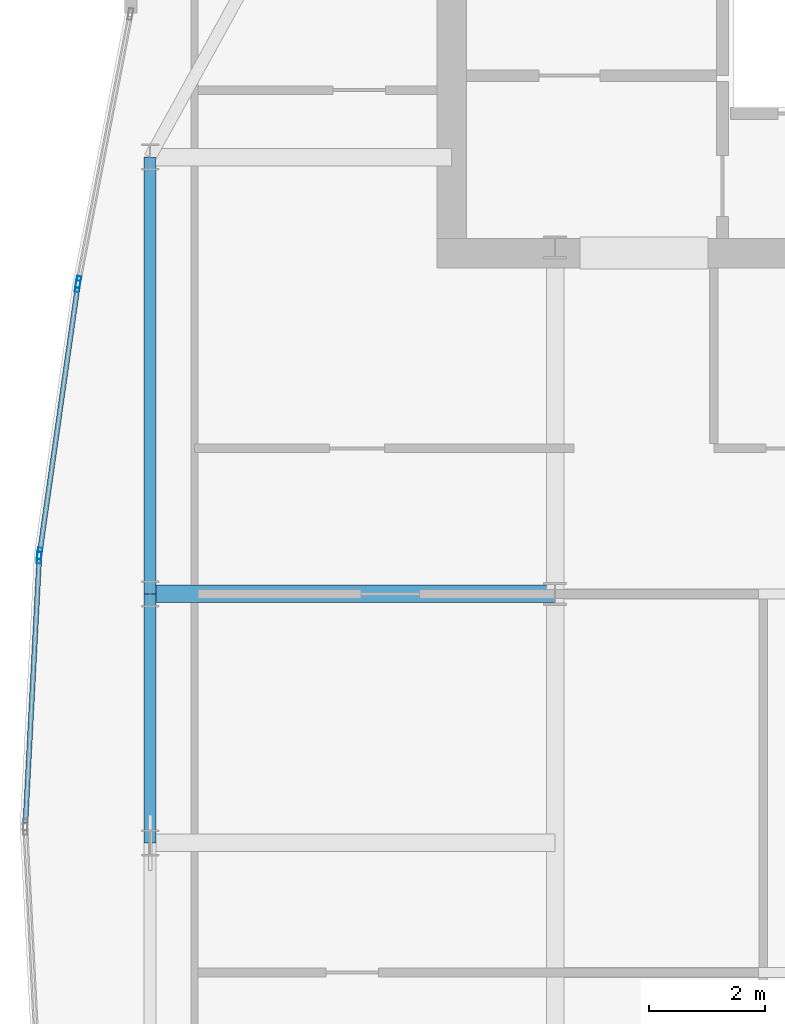
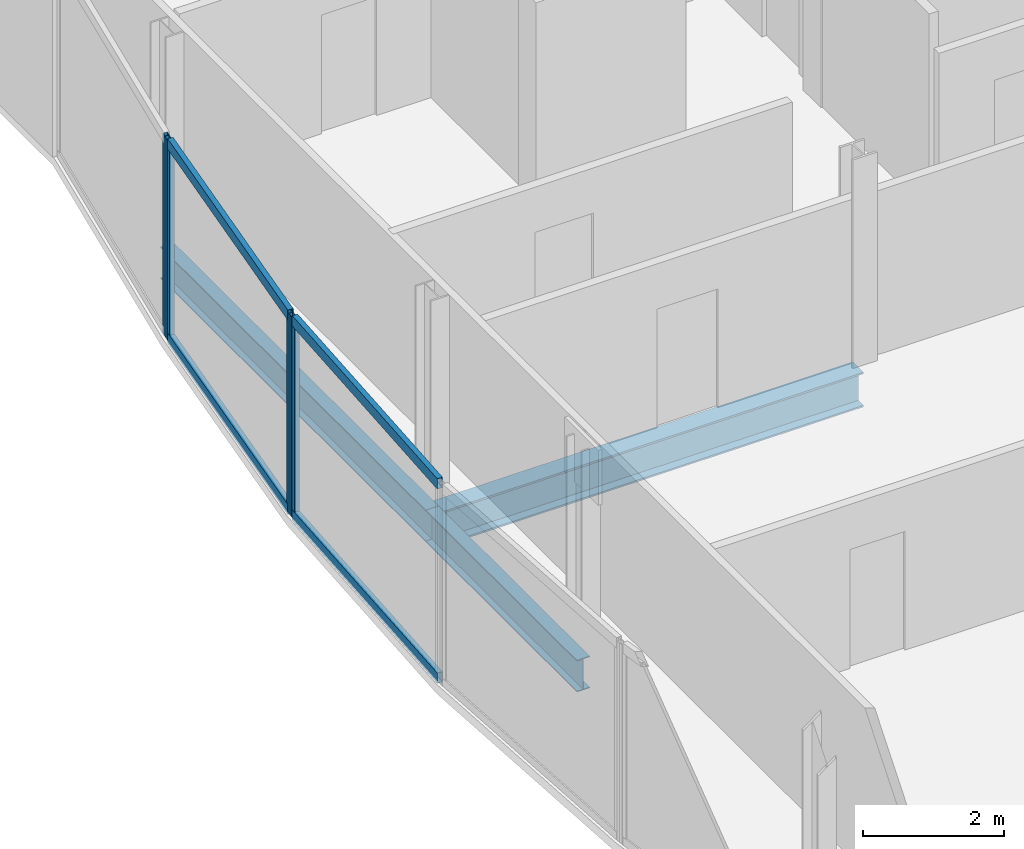
# One storey, part 10 of 27: 8 members, 3 beams, 3 elements without a shape of their own.
"""IFC4 building model written with IfcOpenShell, lengths in metres."""

from ifc_helpers import new_model, si_unit, direction, frame, origin, origin_2d, place, context, subcontext, project, spatial, hollow_rectangle, i_section, extrude, material, material_profile, profile_set, type_object, element, aggregate, save


model = new_model("IFC4")

# Units and contexts
model_context = context("Model", 3, precision=1e-05, world=origin(), true_north=direction((0.0, 1.0)))
body_context = subcontext(model_context, "Body", "Model", "MODEL_VIEW")
ifc_project = project(units=[si_unit("LENGTHUNIT", "METRE"), si_unit("AREAUNIT", "SQUARE_METRE"), si_unit("VOLUMEUNIT", "CUBIC_METRE"), si_unit("PLANEANGLEUNIT", "RADIAN"), si_unit("MASSUNIT", "GRAM", prefix="KILO")], contexts=[model_context])

# Site, building, storey
site_placement = place(None, origin())
site = spatial("IfcSite", under=ifc_project, at=site_placement, CompositionType="ELEMENT")
building_placement = place(site_placement, origin())
building = spatial("IfcBuilding", under=site, at=building_placement, Name="Khoronbel Lancet Exchange", CompositionType="ELEMENT")
storey_placement = place(building_placement, frame((0.0, 0.0, 332.60009765625)))
storey = spatial("IfcBuildingStorey", under=building, at=storey_placement, Name="L86", CompositionType="ELEMENT", Elevation=332.60009765625)

# Beams
ifc_material_1 = material(Name="Steel S355", Category="steel")
ifc_material_profile_1 = material_profile(ifc_material_1, i_section(OverallWidth=0.300048828125, OverallDepth=0.60009765625, WebThickness=0.015380859375, FlangeThickness=0.030029296875, at=origin_2d()), Name="HEB 600")
ifc_profile_set_1 = profile_set([ifc_material_profile_1], Name="Steel S355")
beam_type_1 = type_object("IfcBeamType", Name="BM-BG5", PredefinedType="BEAM", material=ifc_profile_set_1)
beam_1_placement = place(storey_placement, frame((11.27001953125, 35.699951171875, -0.460205078125), z_axis=(1.0, 0.0, 0.0), x_axis=(0.0, 1.0, 0.0)))
element("IfcBeam", 1, at=beam_1_placement, inside=storey, type_object=beam_type_1, Name="Level L86 west lens tie girder LG4W", PredefinedType="BEAM", context=body_context, shape_type="SweptSolid", body=[
    extrude(i_section(OverallWidth=0.300048828125, OverallDepth=0.60009765625, WebThickness=0.015380859375, FlangeThickness=0.030029296875, at=origin_2d()), origin(), (0.0, 0.0, 1.0), 6.955078125),
])
ifc_material_profile_2 = material_profile(ifc_material_1, i_section(OverallWidth=0.2099609375, OverallDepth=0.550048828125, WebThickness=0.010986328125, FlangeThickness=0.01708984375, at=origin_2d()), Name="IPE 550")
ifc_profile_set_2 = profile_set([ifc_material_profile_2], Name="Steel S355")
beam_type_2 = type_object("IfcBeamType", Name="BM-BSP3", PredefinedType="SPANDREL", material=ifc_profile_set_2)
beam_2_placement = place(storey_placement, frame((11.27001953125, 43.199951171875, -0.43505859375), z_axis=(0.0, -1.0, 0.0), x_axis=(1.0, 0.0, 0.0)))
element("IfcBeam", 2, at=beam_2_placement, inside=storey, type_object=beam_type_2, Name="Level L86 perimeter spandrel beam SP15", PredefinedType="SPANDREL", context=body_context, shape_type="SweptSolid", body=[
    extrude(i_section(OverallWidth=0.2099609375, OverallDepth=0.550048828125, WebThickness=0.010986328125, FlangeThickness=0.01708984375, at=origin_2d()), origin(), (0.0, 0.0, 1.0), 7.5),
])
beam_3_placement = place(storey_placement, frame((11.27001953125, 35.699951171875, -0.43505859375), z_axis=(0.0, -1.0, 0.0), x_axis=(1.0, 0.0, 0.0)))
element("IfcBeam", 3, at=beam_3_placement, inside=storey, type_object=beam_type_2, Name="Level L86 perimeter spandrel beam SP16", PredefinedType="SPANDREL", context=body_context, shape_type="SweptSolid", body=[
    extrude(i_section(OverallWidth=0.2099609375, OverallDepth=0.550048828125, WebThickness=0.010986328125, FlangeThickness=0.01708984375, at=origin_2d()), origin(), (0.0, 0.0, 1.0), 4.27490234375),
])

# Curtain wall, member
ifc_material_2 = material(Name="Low-E Solar Control Insulating Glass", Category="glass")
curtain_wall_type = type_object("IfcCurtainWallType", Name="CW-4", PredefinedType="NOTDEFINED", material=ifc_material_2)
curtain_wall_1_placement = place(storey_placement, origin())
curtain_wall_1 = element("IfcCurtainWall", 4, at=curtain_wall_1_placement, inside=storey, type_object=curtain_wall_type, Name="Unitised curtain wall CW-L86-E07", PredefinedType="NOTDEFINED")
ifc_material_3 = material(Name="Bronze-Anodised Aluminium 6063-T6", Category="aluminium")
ifc_material_profile_3 = material_profile(ifc_material_3, hollow_rectangle(XDim=0.074951171875, YDim=0.199951171875, WallThickness=0.0048828125, at=origin_2d()), Name="ALU MULLION 75x200")
ifc_profile_set_3 = profile_set([ifc_material_profile_3], Name="Bronze-Anodised Aluminium 6063-T6")
member_type_1 = type_object("IfcMemberType", Name="MEM-CWM2", PredefinedType="MULLION", material=ifc_profile_set_3)
member_1_placement = place(storey_placement, frame((9.367431640625, 36.320556640625, 0.0), z_axis=(0.0, 0.0, 1.0), x_axis=(-0.998647576212, 0.051990561885, 0.0)))
member_1 = element("IfcMember", 5, at=member_1_placement, type_object=member_type_1, Name="CW4 mullion 2", PredefinedType="MULLION", context=body_context, shape_type="SweptSolid", body=[
    extrude(hollow_rectangle(XDim=0.074951171875, YDim=0.199951171875, WallThickness=0.0048828125, at=origin_2d()), origin(), (0.0, 0.0, 1.0), 3.43994140625),
])

# Curtain wall, members
curtain_wall_2_placement = place(storey_placement, origin())
curtain_wall_2 = element("IfcCurtainWall", 6, at=curtain_wall_2_placement, inside=storey, type_object=curtain_wall_type, Name="Unitised curtain wall CW-L86-E08", PredefinedType="NOTDEFINED")
member_2_placement = place(storey_placement, frame((9.374755859375, 36.39501953125, 0.0), z_axis=(0.0, 0.0, 1.0), x_axis=(-0.990037673837, 0.140802714401, 0.0)))
member_2 = element("IfcMember", 7, at=member_2_placement, type_object=member_type_1, Name="CW4 mullion 1", PredefinedType="MULLION", context=body_context, shape_type="SweptSolid", body=[
    extrude(hollow_rectangle(XDim=0.074951171875, YDim=0.199951171875, WallThickness=0.0048828125, at=origin_2d()), origin(), (0.0, 0.0, 1.0), 3.43994140625),
])
member_3_placement = place(storey_placement, frame((10.02685546875, 40.981201171875, 0.0), z_axis=(0.0, 0.0, 1.0), x_axis=(-0.990037673837, 0.140802714401, 0.0)))
member_3 = element("IfcMember", 8, at=member_3_placement, type_object=member_type_1, Name="CW4 mullion 2", PredefinedType="MULLION", context=body_context, shape_type="SweptSolid", body=[
    extrude(hollow_rectangle(XDim=0.074951171875, YDim=0.199951171875, WallThickness=0.0048828125, at=origin_2d()), origin(), (0.0, 0.0, 1.0), 3.43994140625),
])

# Curtain wall, member
curtain_wall_3_placement = place(storey_placement, origin())
curtain_wall_3 = element("IfcCurtainWall", 9, at=curtain_wall_3_placement, inside=storey, type_object=curtain_wall_type, Name="Unitised curtain wall CW-L86-E09", PredefinedType="NOTDEFINED")
member_4_placement = place(storey_placement, frame((10.039306640625, 41.05517578125, 0.0), z_axis=(0.0, 0.0, 1.0), x_axis=(-0.981647628416, 0.190703785032, 0.0)))
member_4 = element("IfcMember", 10, at=member_4_placement, type_object=member_type_1, Name="CW4 mullion 1", PredefinedType="MULLION", context=body_context, shape_type="SweptSolid", body=[
    extrude(hollow_rectangle(XDim=0.074951171875, YDim=0.199951171875, WallThickness=0.0048828125, at=origin_2d()), origin(), (0.0, 0.0, 1.0), 3.43994140625),
])
aggregate(curtain_wall_3, [member_4])

# Member
ifc_material_profile_4 = material_profile(ifc_material_3, hollow_rectangle(XDim=0.0849609375, YDim=0.179931640625, WallThickness=0.0048828125, at=origin_2d()), Name="ALU TRANSOM 85x180")
ifc_profile_set_4 = profile_set([ifc_material_profile_4], Name="Bronze-Anodised Aluminium 6063-T6")
member_type_2 = type_object("IfcMemberType", Name="MEM-CWT1", PredefinedType="USERDEFINED", material=ifc_profile_set_4)
member_5_placement = place(storey_placement, frame((9.130859375, 31.77490234375, 0.04248046875), z_axis=(0.051971259951, 0.998648580903, 0.0), x_axis=(-0.998648580903, 0.051971259951, 0.0)))
member_5 = element("IfcMember", 11, at=member_5_placement, type_object=member_type_2, Name="CW4 transom 1.1", ObjectType="TRANSOM", PredefinedType="USERDEFINED", context=body_context, shape_type="SweptSolid", body=[
    extrude(hollow_rectangle(XDim=0.0849609375, YDim=0.179931640625, WallThickness=0.0048828125, at=origin_2d()), origin(), (0.0, 0.0, 1.0), 4.514404296875),
])

member_6_placement = place(storey_placement, frame((9.130859375, 31.77490234375, 3.3974609375), z_axis=(0.051971259951, 0.998648580903, 0.0), x_axis=(-0.998648580903, 0.051971259951, 0.0)))
member_6 = element("IfcMember", 12, at=member_6_placement, type_object=member_type_2, Name="CW4 transom 1.2", ObjectType="TRANSOM", PredefinedType="USERDEFINED", context=body_context, shape_type="SweptSolid", body=[
    extrude(hollow_rectangle(XDim=0.0849609375, YDim=0.179931640625, WallThickness=0.0048828125, at=origin_2d()), origin(), (0.0, 0.0, 1.0), 4.514404296875),
])

aggregate(curtain_wall_1, [member_1, member_5, member_6])

member_7_placement = place(storey_placement, frame((9.3798828125, 36.432373046875, 0.04248046875), z_axis=(0.140843813606, 0.990031827857, 0.0), x_axis=(-0.990031827857, 0.140843813606, 0.0)))
member_7 = element("IfcMember", 13, at=member_7_placement, type_object=member_type_2, Name="CW4 transom 1.1", ObjectType="TRANSOM", PredefinedType="USERDEFINED", context=body_context, shape_type="SweptSolid", body=[
    extrude(hollow_rectangle(XDim=0.0849609375, YDim=0.179931640625, WallThickness=0.0048828125, at=origin_2d()), origin(), (0.0, 0.0, 1.0), 4.55712890625),
])

member_8_placement = place(storey_placement, frame((9.3798828125, 36.432373046875, 3.3974609375), z_axis=(0.140843813606, 0.990031827857, 0.0), x_axis=(-0.990031827857, 0.140843813606, 0.0)))
member_8 = element("IfcMember", 14, at=member_8_placement, type_object=member_type_2, Name="CW4 transom 1.2", ObjectType="TRANSOM", PredefinedType="USERDEFINED", context=body_context, shape_type="SweptSolid", body=[
    extrude(hollow_rectangle(XDim=0.0849609375, YDim=0.179931640625, WallThickness=0.0048828125, at=origin_2d()), origin(), (0.0, 0.0, 1.0), 4.55712890625),
])

aggregate(curtain_wall_2, [member_2, member_3, member_7, member_8])

save(model, "model.ifc")
